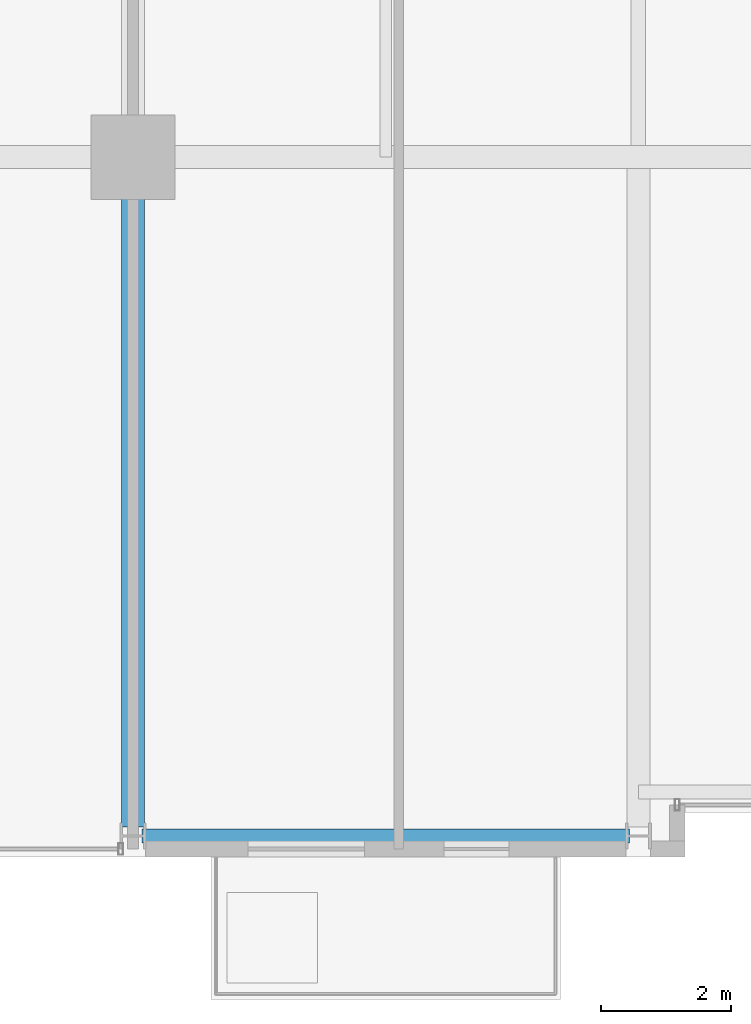
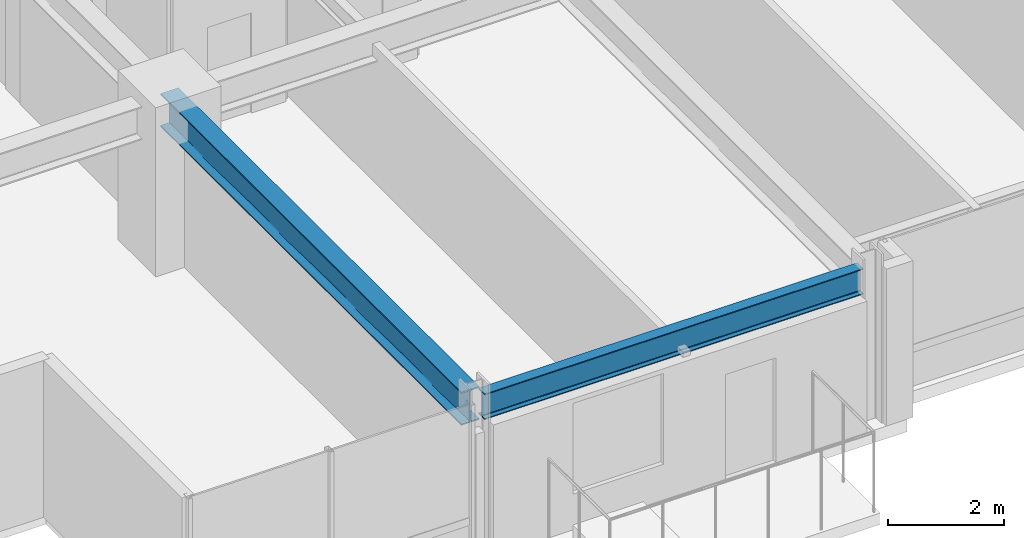
# One storey, part 3 of 32: 2 beams.
"""IFC4 building model written with IfcOpenShell, lengths in metres."""

from ifc_helpers import new_model, si_unit, direction, frame, origin, origin_2d, place, context, subcontext, project, spatial, i_section, extrude, material, material_profile, profile_set, type_object, element, save


model = new_model("IFC4")

# Units and contexts
model_context = context("Model", 3, precision=1e-05, world=origin(), true_north=direction((0.0, 1.0)))
body_context = subcontext(model_context, "Body", "Model", "MODEL_VIEW")
ifc_project = project(units=[si_unit("LENGTHUNIT", "METRE"), si_unit("AREAUNIT", "SQUARE_METRE"), si_unit("VOLUMEUNIT", "CUBIC_METRE"), si_unit("PLANEANGLEUNIT", "RADIAN"), si_unit("MASSUNIT", "GRAM", prefix="KILO")], contexts=[model_context])

# Site, building, storey
site_placement = place(None, origin())
site = spatial("IfcSite", under=ifc_project, at=site_placement, CompositionType="ELEMENT")
building_placement = place(site_placement, origin())
building = spatial("IfcBuilding", under=site, at=building_placement, Name="Drelvath Grand Hotel", CompositionType="ELEMENT")
storey_placement = place(building_placement, frame((0.0, 0.0, 193.0)))
storey = spatial("IfcBuildingStorey", under=building, at=storey_placement, Name="L50", CompositionType="ELEMENT", Elevation=193.0)

# Beams
ifc_material = material(Name="Steel ASTM A992 Gr 50", Category="steel")
ifc_material_profile_1 = material_profile(ifc_material, i_section(OverallWidth=0.210205078125, OverallDepth=0.53662109375, WebThickness=0.010986328125, FlangeThickness=0.017333984375, FilletRadius=0.01806640625, at=origin_2d()), Name="W21X68")
ifc_profile_set_1 = profile_set([ifc_material_profile_1], Name="Steel ASTM A992 Gr 50")
beam_type_1 = type_object("IfcBeamType", Name="Perimeter Spandrel Beam W21X68", PredefinedType="SPANDREL", material=ifc_profile_set_1)
beam_1_placement = place(storey_placement, frame((-16.06005859375, 0.320068359375, 3.021484375), z_axis=(1.0, 0.0, 0.0), x_axis=(0.0, 1.0, 0.0)))
element("IfcBeam", 1, at=beam_1_placement, inside=storey, type_object=beam_type_1, Name="L50 Spandrel South W", PredefinedType="SPANDREL", context=body_context, shape_type="SweptSolid", body=[
    extrude(i_section(OverallWidth=0.210205078125, OverallDepth=0.53662109375, WebThickness=0.010986328125, FlangeThickness=0.017333984375, FilletRadius=0.01806640625, at=origin_2d()), origin(), (0.0, 0.0, 1.0), 7.52001953125),
])
ifc_material_profile_2 = material_profile(ifc_material, i_section(OverallWidth=0.354736328125, OverallDepth=0.695556640625, WebThickness=0.015380859375, FlangeThickness=0.025146484375, FilletRadius=0.02392578125, at=origin_2d()), Name="W27X146")
ifc_profile_set_2 = profile_set([ifc_material_profile_2], Name="Steel ASTM A992 Gr 50")
beam_type_2 = type_object("IfcBeamType", Name="Primary Floor Girder W27X146", PredefinedType="BEAM", material=ifc_profile_set_2)
beam_2_placement = place(storey_placement, frame((-16.199951171875, 0.4599609375, 2.9423828125), z_axis=(0.0, 1.0, 0.0), x_axis=(-1.0, 0.0, 0.0)))
element("IfcBeam", 2, at=beam_2_placement, inside=storey, type_object=beam_type_2, Name="L50 South Grid Girder 3", PredefinedType="BEAM", context=body_context, shape_type="SweptSolid", body=[
    extrude(i_section(OverallWidth=0.354736328125, OverallDepth=0.695556640625, WebThickness=0.015380859375, FlangeThickness=0.025146484375, FilletRadius=0.02392578125, at=origin_2d()), origin(), (0.0, 0.0, 1.0), 10.340087890625),
])

save(model, "model.ifc")
